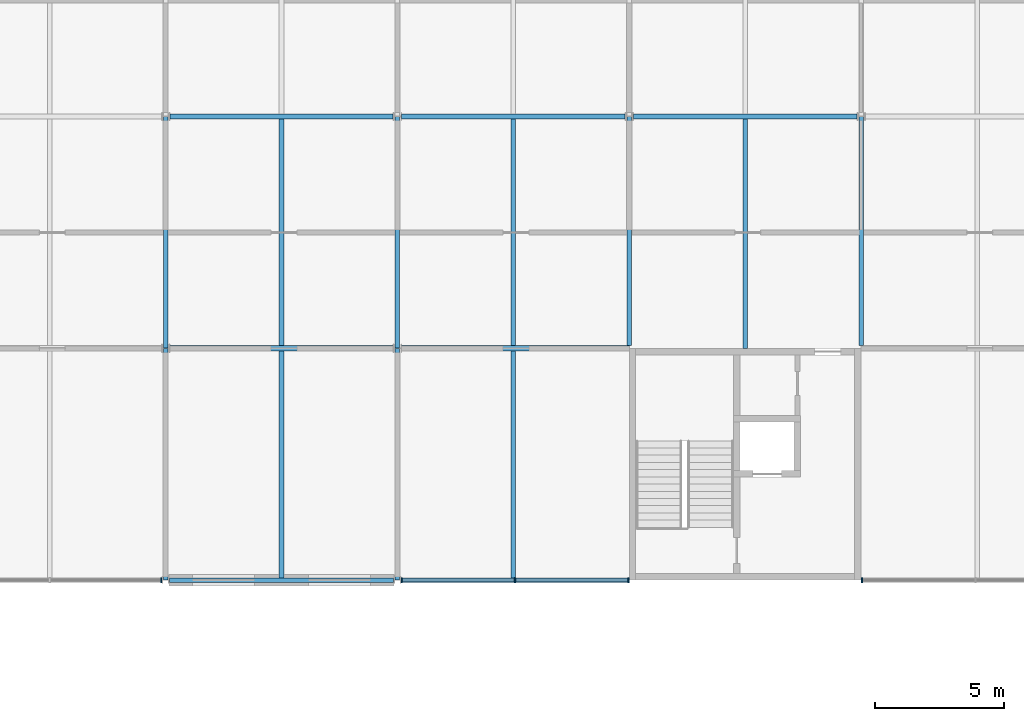
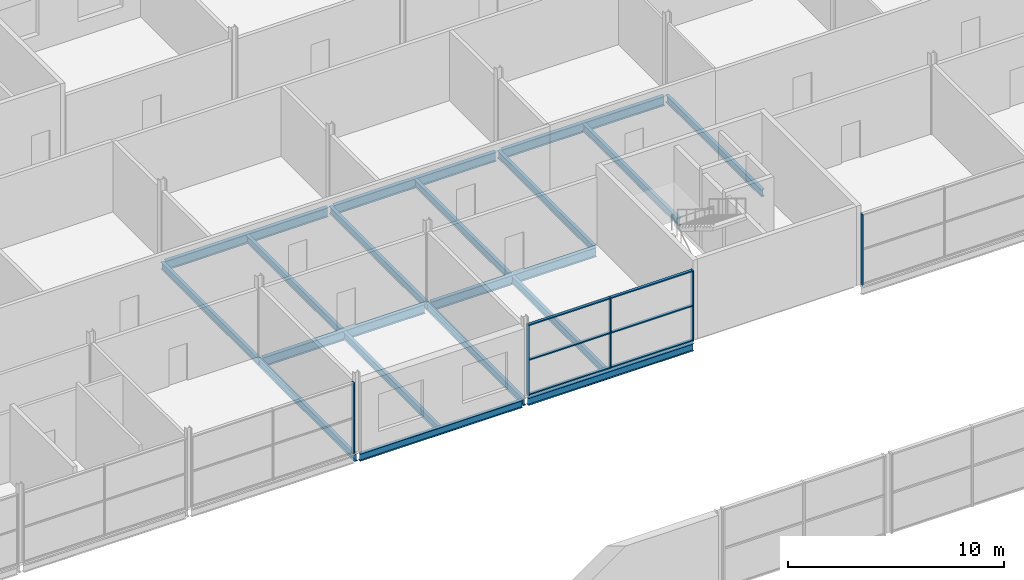
# One storey, part 32 of 97: 18 beams, 11 members, 3 elements without a shape of their own.
"""IFC4 building model written with IfcOpenShell, lengths in metres."""

import ifcopenshell
import ifcopenshell.guid

model = None  # the IFC model being written
_history = None  # IfcOwnerHistory: only IFC2X3 demands one
_inside = {}  # id of a spatial element -> (the spatial element, [elements in it])
_under = {}  # id of a project, library or spatial element -> (it, [spatial elements below it])
_declared = {}  # id of a project -> (the project, [libraries it declares])
_typed = {}  # id of a type object -> (the type object, [elements of that type])
_made_of = {}  # id of a material, layer set ... -> (it, [elements and type objects made of it])


def new_model(schema):
    """Start an empty IFC model of exactly this schema.

    Asked for "IFC4X3", IfcOpenShell would pick the latest addendum, in which some entities
    have other attributes; the version numbers below select the first issue.
    IFC2X3 requires an IfcOwnerHistory on every rooted entity: one is made here for all.
    """
    global model, _history
    if schema == "IFC4X3":
        model = ifcopenshell.file(schema_version=(4, 3, 0, 0))
    else:
        model = ifcopenshell.file(schema=schema)
    _inside.clear()
    _under.clear()
    _declared.clear()
    _typed.clear()
    _made_of.clear()
    _history = None
    if model.schema == "IFC2X3":
        org = make("IfcOrganization", Name="unknown")
        user = make(
            "IfcPersonAndOrganization",
            ThePerson=make("IfcPerson", FamilyName="unknown"),
            TheOrganization=org,
        )
        app = make(
            "IfcApplication",
            ApplicationDeveloper=org,
            Version="unknown",
            ApplicationFullName="unknown",
            ApplicationIdentifier="unknown",
        )
        _history = make(
            "IfcOwnerHistory",
            OwningUser=user,
            OwningApplication=app,
            ChangeAction="ADDED",
            CreationDate=0,
        )
    return model


def make(cls, **values):
    """One entity of the class cls with the attributes given. An attribute that is None is left unset."""
    return model.create_entity(
        cls, **{name: value for name, value in values.items() if value is not None}
    )


def rooted(cls, **values):
    """An entity with a GlobalId (a new one), such as an element, a storey or a relation."""
    return make(cls, GlobalId=ifcopenshell.guid.new(), OwnerHistory=_history, **values)


def si_unit(unit_type, name, prefix=None):
    """IfcSIUnit, for example si_unit("LENGTHUNIT", "METRE", prefix="MILLI")."""
    return make("IfcSIUnit", UnitType=unit_type, Prefix=prefix, Name=name)


def assignment(units):
    """IfcUnitAssignment: the units of a project."""
    return None if units is None else make("IfcUnitAssignment", Units=units)


def point(xyz):
    """IfcCartesianPoint."""
    return None if xyz is None else make("IfcCartesianPoint", Coordinates=xyz)


def direction(xyz):
    """IfcDirection."""
    return None if xyz is None else make("IfcDirection", DirectionRatios=xyz)


def frame(location, z_axis=None, x_axis=None):
    """IfcAxis2Placement3D, a coordinate frame: its origin and axes. An axis left out is left unset."""
    return make(
        "IfcAxis2Placement3D",
        Location=point(location),
        Axis=direction(z_axis),
        RefDirection=direction(x_axis),
    )


def frame_2d(location, x_axis=None):
    """IfcAxis2Placement2D, a coordinate frame in the plane: its origin and x axis."""
    return make(
        "IfcAxis2Placement2D", Location=point(location), RefDirection=direction(x_axis)
    )


def origin():
    """The frame at (0, 0, 0) with its axes left unset."""
    return frame((0.0, 0.0, 0.0))


def origin_2d():
    """The frame at (0, 0) in the plane with its x axis left unset."""
    return frame_2d((0.0, 0.0))


def place(relative_to, where):
    """IfcLocalPlacement: puts the frame where relative to a parent placement (None: the world)."""
    return make(
        "IfcLocalPlacement", PlacementRelTo=relative_to, RelativePlacement=where
    )


def context(
    kind, dimensions, precision=None, world=None, true_north=None, identifier=None
):
    """IfcGeometricRepresentationContext, for example the 3D "Model" context."""
    return make(
        "IfcGeometricRepresentationContext",
        ContextIdentifier=identifier,
        ContextType=kind,
        CoordinateSpaceDimension=dimensions,
        Precision=precision,
        WorldCoordinateSystem=world,
        TrueNorth=true_north,
    )


def subcontext(parent, identifier, kind, view, scale=None):
    """IfcGeometricRepresentationSubContext, for example "Body" below "Model"."""
    return make(
        "IfcGeometricRepresentationSubContext",
        ContextIdentifier=identifier,
        ContextType=kind,
        ParentContext=parent,
        TargetScale=scale,
        TargetView=view,
    )


def project(units=None, contexts=None):
    """IfcProject with its units and contexts."""
    return rooted(
        "IfcProject",
        Name="project",
        RepresentationContexts=contexts,
        UnitsInContext=assignment(units),
    )


def spatial(cls, under=None, at=None, **own):
    """A site, building, storey or space (cls), placed at a placement, below another one or the project."""
    s = rooted(cls, ObjectPlacement=at, **own)
    if under is not None:
        _under.setdefault(under.id(), (under, []))[1].append(s)
    return s


def profile(cls, at=None, kind="AREA", **sizes):
    """A parametric profile (cls). Its sizes go by their IFC names, for example OverallWidth=200.0."""
    return make(cls, ProfileType=kind, Position=at, **sizes)


def rectangle(**sizes):
    """IfcRectangleProfileDef."""
    return profile("IfcRectangleProfileDef", **sizes)


def i_section(**sizes):
    """IfcIShapeProfileDef."""
    return profile("IfcIShapeProfileDef", **sizes)


def extrude(swept, where, along, depth):
    """IfcExtrudedAreaSolid: the profile swept, set in the frame where, extruded along a direction by depth."""
    return make(
        "IfcExtrudedAreaSolid",
        SweptArea=swept,
        Position=where,
        ExtrudedDirection=direction(along),
        Depth=depth,
    )


def shape(context_of_items, identifier, shape_type, items):
    """IfcShapeRepresentation: the items that make up one representation, for example the "Body"."""
    return make(
        "IfcShapeRepresentation",
        ContextOfItems=context_of_items,
        RepresentationIdentifier=identifier,
        RepresentationType=shape_type,
        Items=items,
    )


def material(Name=None, Category=None):
    """IfcMaterial."""
    return make("IfcMaterial", Name=Name, Category=Category)


def layer(
    of_material, thickness, ventilated=None, Name=None, Category=None, Priority=None
):
    """IfcMaterialLayer: one layer of a wall or slab, of a material (None: an air gap)."""
    return make(
        "IfcMaterialLayer",
        Material=of_material,
        LayerThickness=thickness,
        IsVentilated=ventilated,
        Name=Name,
        Category=Category,
        Priority=Priority,
    )


def layer_set(layers, Name=None):
    """IfcMaterialLayerSet."""
    return make("IfcMaterialLayerSet", MaterialLayers=layers, LayerSetName=Name)


def material_profile(
    of_material, cross_section, Name=None, Category=None, Priority=None
):
    """IfcMaterialProfile: a cross section and its material."""
    return make(
        "IfcMaterialProfile",
        Name=Name,
        Material=of_material,
        Profile=cross_section,
        Priority=Priority,
        Category=Category,
    )


def profile_set(profiles, Name=None, composite=None):
    """IfcMaterialProfileSet."""
    return make(
        "IfcMaterialProfileSet",
        Name=Name,
        MaterialProfiles=profiles,
        CompositeProfile=composite,
    )


def made_of(thing, what):
    """Note that an element or type object is made of a material, layer set ...; save() writes the relation."""
    if what is not None:
        _made_of.setdefault(what.id(), (what, []))[1].append(thing)
    return thing


def type_object(cls, material=None, **own):
    """A type object (cls), such as IfcWallType, which elements share."""
    return made_of(rooted(cls, **own), material)


def element(
    cls,
    number,
    at=None,
    inside=None,
    cuts=None,
    type_object=None,
    material=None,
    context=None,
    identifier="Body",
    shape_type=None,
    held_by="IfcProductDefinitionShape",
    body=None,
    shapes=None,
    **own,
):
    """One element of the class cls, such as IfcWall. Its Tag is "e" and its number.

    at: its placement. inside: the storey or other place that contains it. cuts: it is an
    opening in that element (IfcRelVoidsElement). A single representation is given by context,
    identifier, shape_type and body (its items); several are given by shapes. held_by: the class
    of the entity that holds the representations. save() writes the other relations.
    """
    e = rooted(cls, Tag="e%d" % number, ObjectPlacement=at, **own)
    if body is not None:
        shapes = [shape(context, identifier, shape_type, body)]
    if shapes is not None:
        e.Representation = make(held_by, Representations=shapes)
    if inside is not None:
        _inside.setdefault(inside.id(), (inside, []))[1].append(e)
    if cuts is not None:
        rooted(
            "IfcRelVoidsElement", RelatingBuildingElement=cuts, RelatedOpeningElement=e
        )
    if type_object is not None:
        _typed.setdefault(type_object.id(), (type_object, []))[1].append(e)
    return made_of(e, material)


def aggregate(whole, parts):
    """IfcRelAggregates: a whole, such as a stair, and the parts it consists of."""
    return rooted("IfcRelAggregates", RelatingObject=whole, RelatedObjects=parts)


def save(model, path):
    """Write the relations noted so far, then the file.

    IfcRelAggregates (storeys below a building ...), IfcRelContainedInSpatialStructure (elements
    in a storey), IfcRelDefinesByType, IfcRelAssociatesMaterial and IfcRelDeclares: one each for
    every whole, place, type object, material and project.
    """
    for whole, parts in _under.values():
        aggregate(whole, parts)
    for where, things in _inside.values():
        rooted(
            "IfcRelContainedInSpatialStructure",
            RelatedElements=things,
            RelatingStructure=where,
        )
    for kind, things in _typed.values():
        rooted("IfcRelDefinesByType", RelatedObjects=things, RelatingType=kind)
    for what, things in _made_of.values():
        rooted("IfcRelAssociatesMaterial", RelatedObjects=things, RelatingMaterial=what)
    for by, libraries in _declared.values():
        rooted("IfcRelDeclares", RelatingContext=by, RelatedDefinitions=libraries)
    model.write(path)


model = new_model("IFC4")

# Units and contexts
model_context = context("Model", 3, precision=1e-05, world=origin(), true_north=direction((0.0, 1.0)))
body_context = subcontext(model_context, "Body", "Model", "MODEL_VIEW")
ifc_project = project(units=[si_unit("LENGTHUNIT", "METRE"), si_unit("AREAUNIT", "SQUARE_METRE"), si_unit("VOLUMEUNIT", "CUBIC_METRE"), si_unit("PLANEANGLEUNIT", "RADIAN"), si_unit("MASSUNIT", "GRAM", prefix="KILO")], contexts=[model_context])

# Site, building, storey
site_placement = place(None, origin())
site = spatial("IfcSite", under=ifc_project, at=site_placement, CompositionType="ELEMENT")
building_placement = place(site_placement, origin())
building = spatial("IfcBuilding", under=site, at=building_placement, Name="Corbel Yard City Hall", CompositionType="ELEMENT")
storey_placement = place(building_placement, frame((0.0, 0.0, 6.0)))
storey = spatial("IfcBuildingStorey", under=building, at=storey_placement, Name="L01", CompositionType="ELEMENT", Elevation=6.0)

# Beams
ifc_material_1 = material(Name="Steel Grade 300 (300 MPa yield)", Category="steel")
ifc_material_profile_1 = material_profile(ifc_material_1, i_section(OverallWidth=0.177978515625, OverallDepth=0.403076171875, WebThickness=0.007568359375, FlangeThickness=0.010986328125, at=origin_2d()), Name="410UB53.7")
ifc_profile_set_1 = profile_set([ifc_material_profile_1], Name="Steel Grade 300 (300 MPa yield)")
beam_type_1 = type_object("IfcBeamType", Name="Beam 410UB53.7", PredefinedType="BEAM", material=ifc_profile_set_1)
beam_1_placement = place(storey_placement, frame((36.0, 45.005859375, -0.3515625), z_axis=(0.0, 1.0, 0.0), x_axis=(-1.0, 0.0, 0.0)))
element("IfcBeam", 1, at=beam_1_placement, inside=storey, type_object=beam_type_1, Name="Beam 410UB53.7 SB6 L01floor", PredefinedType="BEAM", context=body_context, shape_type="SweptSolid", body=[
    extrude(i_section(OverallWidth=0.177978515625, OverallDepth=0.403076171875, WebThickness=0.007568359375, FlangeThickness=0.010986328125, at=origin_2d()), origin(), (0.0, 0.0, 1.0), 8.986328125),
])
beam_2_placement = place(storey_placement, frame((36.0, 54.0078125, -0.3515625), z_axis=(0.0, 1.0, 0.0), x_axis=(-1.0, 0.0, 0.0)))
element("IfcBeam", 2, at=beam_2_placement, inside=storey, type_object=beam_type_1, Name="Beam 410UB53.7 SB6 L01floor", PredefinedType="BEAM", context=body_context, shape_type="SweptSolid", body=[
    extrude(i_section(OverallWidth=0.177978515625, OverallDepth=0.403076171875, WebThickness=0.007568359375, FlangeThickness=0.010986328125, at=origin_2d()), origin(), (0.0, 0.0, 1.0), 8.984375),
])
beam_3_placement = place(storey_placement, frame((45.0, 45.005859375, -0.3515625), z_axis=(0.0, 1.0, 0.0), x_axis=(-1.0, 0.0, 0.0)))
element("IfcBeam", 3, at=beam_3_placement, inside=storey, type_object=beam_type_1, Name="Beam 410UB53.7 SB6 L01floor", PredefinedType="BEAM", context=body_context, shape_type="SweptSolid", body=[
    extrude(i_section(OverallWidth=0.177978515625, OverallDepth=0.403076171875, WebThickness=0.007568359375, FlangeThickness=0.010986328125, at=origin_2d()), origin(), (0.0, 0.0, 1.0), 8.986328125),
])
beam_4_placement = place(storey_placement, frame((45.0, 54.0078125, -0.3515625), z_axis=(0.0, 1.0, 0.0), x_axis=(-1.0, 0.0, 0.0)))
element("IfcBeam", 4, at=beam_4_placement, inside=storey, type_object=beam_type_1, Name="Beam 410UB53.7 SB6 L01floor", PredefinedType="BEAM", context=body_context, shape_type="SweptSolid", body=[
    extrude(i_section(OverallWidth=0.177978515625, OverallDepth=0.403076171875, WebThickness=0.007568359375, FlangeThickness=0.010986328125, at=origin_2d()), origin(), (0.0, 0.0, 1.0), 8.984375),
])
for number, where, z_axis, x_axis, name in (
    (5, (54.0, 54.1044921875, -0.3515625), (0.0, 1.0, 0.0), (-1.0, 0.0, 0.0), "Beam 410UB53.7 SB6 L01floor"),
    (6, (63.0, 54.1044921875, -0.3515625), (0.0, 1.0, 0.0), (-1.0, 0.0, 0.0), "Beam 410UB53.7 SB6 L01floor"),
):
    element("IfcBeam", number, at=place(storey_placement, frame(where, z_axis=z_axis, x_axis=x_axis)), inside=storey, type_object=beam_type_1, Name=name, PredefinedType="BEAM", context=body_context, shape_type="SweptSolid", body=[
        extrude(i_section(OverallWidth=0.177978515625, OverallDepth=0.403076171875, WebThickness=0.007568359375, FlangeThickness=0.010986328125, at=origin_2d()), origin(), (0.0, 0.0, 1.0), 8.8876953125),
    ])
ifc_material_profile_2 = material_profile(ifc_material_1, i_section(OverallWidth=0.177978515625, OverallDepth=0.406005859375, WebThickness=0.0078125, FlangeThickness=0.0126953125, at=origin_2d()), Name="410UB59.7")
ifc_profile_set_2 = profile_set([ifc_material_profile_2], Name="Steel Grade 300 (300 MPa yield)")
beam_type_2 = type_object("IfcBeamType", Name="Edge beam 410UB59.7", PredefinedType="BEAM", material=ifc_profile_set_2)
beam_5_placement = place(storey_placement, frame((36.157470703125, 45.0, -0.35302734375), z_axis=(1.0, 0.0, 0.0), x_axis=(0.0, 1.0, 0.0)))
element("IfcBeam", 7, at=beam_5_placement, inside=storey, type_object=beam_type_2, Name="Edge beam 410UB59.7 EB2 L01floor", PredefinedType="BEAM", context=body_context, shape_type="SweptSolid", body=[
    extrude(i_section(OverallWidth=0.177978515625, OverallDepth=0.406005859375, WebThickness=0.0078125, FlangeThickness=0.0126953125, at=origin_2d()), origin(), (0.0, 0.0, 1.0), 8.68505859375),
])
beam_6_placement = place(storey_placement, frame((45.157470703125, 45.0, -0.35302734375), z_axis=(1.0, 0.0, 0.0), x_axis=(0.0, 1.0, 0.0)))
element("IfcBeam", 8, at=beam_6_placement, inside=storey, type_object=beam_type_2, Name="Edge beam 410UB59.7 EB2 L01floor", PredefinedType="BEAM", context=body_context, shape_type="SweptSolid", body=[
    extrude(i_section(OverallWidth=0.177978515625, OverallDepth=0.406005859375, WebThickness=0.0078125, FlangeThickness=0.0126953125, at=origin_2d()), origin(), (0.0, 0.0, 1.0), 8.842529296875),
])
ifc_material_profile_3 = material_profile(ifc_material_1, i_section(OverallWidth=0.208984375, OverallDepth=0.528076171875, WebThickness=0.009521484375, FlangeThickness=0.01318359375, at=origin_2d()), Name="530UB82.0")
ifc_profile_set_3 = profile_set([ifc_material_profile_3], Name="Steel Grade 300 (300 MPa yield)")
beam_type_3 = type_object("IfcBeamType", Name="Girder 530UB82.0", PredefinedType="BEAM", material=ifc_profile_set_3)
beam_7_placement = place(storey_placement, frame((36.16357421875, 54.0, -0.4140625), z_axis=(1.0, 0.0, 0.0), x_axis=(0.0, 1.0, 0.0)))
element("IfcBeam", 9, at=beam_7_placement, inside=storey, type_object=beam_type_3, Name="Girder 530UB82.0 GB3 L01floor", PredefinedType="BEAM", context=body_context, shape_type="SweptSolid", body=[
    extrude(i_section(OverallWidth=0.208984375, OverallDepth=0.528076171875, WebThickness=0.009521484375, FlangeThickness=0.01318359375, at=origin_2d()), origin(), (0.0, 0.0, 1.0), 8.6728515625),
])
beam_8_placement = place(storey_placement, frame((45.16357421875, 54.0, -0.4140625), z_axis=(1.0, 0.0, 0.0), x_axis=(0.0, 1.0, 0.0)))
element("IfcBeam", 10, at=beam_8_placement, inside=storey, type_object=beam_type_3, Name="Girder 530UB82.0 GB3 L01floor", PredefinedType="BEAM", context=body_context, shape_type="SweptSolid", body=[
    extrude(i_section(OverallWidth=0.208984375, OverallDepth=0.528076171875, WebThickness=0.009521484375, FlangeThickness=0.01318359375, at=origin_2d()), origin(), (0.0, 0.0, 1.0), 8.83642578125),
])
for number, where, z_axis, x_axis, name in (
    (11, (36.16357421875, 63.0, -0.4140625), (1.0, 0.0, 0.0), (0.0, 1.0, 0.0), "Girder 530UB82.0 GB3 L01floor"),
    (12, (45.16357421875, 63.0, -0.4140625), (1.0, 0.0, 0.0), (0.0, 1.0, 0.0), "Girder 530UB82.0 GB3 L01floor"),
    (13, (54.16357421875, 63.0, -0.4140625), (1.0, 0.0, 0.0), (0.0, 1.0, 0.0), "Girder 530UB82.0 GB3 L01floor"),
):
    element("IfcBeam", number, at=place(storey_placement, frame(where, z_axis=z_axis, x_axis=x_axis)), inside=storey, type_object=beam_type_3, Name=name, PredefinedType="BEAM", context=body_context, shape_type="SweptSolid", body=[
        extrude(i_section(OverallWidth=0.208984375, OverallDepth=0.528076171875, WebThickness=0.009521484375, FlangeThickness=0.01318359375, at=origin_2d()), origin(), (0.0, 0.0, 1.0), 8.6728515625),
    ])

# Curtain wall, member
ifc_material_2 = material(Name="Aluminium extrusion", Category="aluminium")
ifc_layer = layer(ifc_material_2, 0.199951171875)
ifc_layer_set = layer_set([ifc_layer], Name="Aluminium extrusion")
curtain_wall_type = type_object("IfcCurtainWallType", Name="CW1", PredefinedType="USERDEFINED", material=ifc_layer_set)
curtain_wall_1_placement = place(storey_placement, origin())
curtain_wall_1 = element("IfcCurtainWall", 14, at=curtain_wall_1_placement, inside=storey, type_object=curtain_wall_type, Name="Curtain wall CW1 L01", ObjectType="CURTAIN WALL", PredefinedType="USERDEFINED")
ifc_material_profile_4 = material_profile(ifc_material_2, rectangle(XDim=0.199951171875, YDim=0.06494140625, at=origin_2d()), Name="200x65")
ifc_profile_set_4 = profile_set([ifc_material_profile_4], Name="Aluminium extrusion")
member_type_1 = type_object("IfcMemberType", Name="ML1", PredefinedType="MULLION", material=ifc_profile_set_4)
member_1_placement = place(storey_placement, frame((35.83740234375, 45.0, 0.0), z_axis=(0.0, 0.0, 1.0), x_axis=(0.0, 1.0, 0.0)))
member_1 = element("IfcMember", 15, at=member_1_placement, type_object=member_type_1, Name="CW1 mullion 3", PredefinedType="MULLION", context=body_context, shape_type="SweptSolid", body=[
    extrude(rectangle(XDim=0.199951171875, YDim=0.06494140625, at=origin_2d()), origin(), (0.0, 0.0, 1.0), 3.990966796875),
])
aggregate(curtain_wall_1, [member_1])

# Curtain wall, members
curtain_wall_2_placement = place(storey_placement, origin())
curtain_wall_2 = element("IfcCurtainWall", 16, at=curtain_wall_2_placement, inside=storey, type_object=curtain_wall_type, Name="Curtain wall CW1 L01", ObjectType="CURTAIN WALL", PredefinedType="USERDEFINED")
member_2_placement = place(storey_placement, frame((45.16259765625, 45.0, 0.0), z_axis=(0.0, 0.0, 1.0), x_axis=(0.0, 1.0, 0.0)))
member_2 = element("IfcMember", 17, at=member_2_placement, type_object=member_type_1, Name="CW1 mullion 1", PredefinedType="MULLION", context=body_context, shape_type="SweptSolid", body=[
    extrude(rectangle(XDim=0.199951171875, YDim=0.06494140625, at=origin_2d()), origin(), (0.0, 0.0, 1.0), 3.990966796875),
])
member_3_placement = place(storey_placement, frame((49.56494140625, 45.0, 0.0), z_axis=(0.0, 0.0, 1.0), x_axis=(0.0, 1.0, 0.0)))
member_3 = element("IfcMember", 18, at=member_3_placement, type_object=member_type_1, Name="CW1 mullion 2", PredefinedType="MULLION", context=body_context, shape_type="SweptSolid", body=[
    extrude(rectangle(XDim=0.199951171875, YDim=0.06494140625, at=origin_2d()), origin(), (0.0, 0.0, 1.0), 3.990966796875),
])
member_4_placement = place(storey_placement, frame((53.967529296875, 45.0, 0.0), z_axis=(0.0, 0.0, 1.0), x_axis=(0.0, 1.0, 0.0)))
member_4 = element("IfcMember", 19, at=member_4_placement, type_object=member_type_1, Name="CW1 mullion 3", PredefinedType="MULLION", context=body_context, shape_type="SweptSolid", body=[
    extrude(rectangle(XDim=0.199951171875, YDim=0.06494140625, at=origin_2d()), origin(), (0.0, 0.0, 1.0), 3.990966796875),
])

# Curtain wall, member
curtain_wall_3_placement = place(storey_placement, origin())
curtain_wall_3 = element("IfcCurtainWall", 20, at=curtain_wall_3_placement, inside=storey, type_object=curtain_wall_type, Name="Curtain wall CW1 L01", ObjectType="CURTAIN WALL", PredefinedType="USERDEFINED")
member_5_placement = place(storey_placement, frame((63.032470703125, 45.0, 0.0), z_axis=(0.0, 0.0, 1.0), x_axis=(0.0, 1.0, 0.0)))
member_5 = element("IfcMember", 21, at=member_5_placement, type_object=member_type_1, Name="CW1 mullion 1", PredefinedType="MULLION", context=body_context, shape_type="SweptSolid", body=[
    extrude(rectangle(XDim=0.199951171875, YDim=0.06494140625, at=origin_2d()), origin(), (0.0, 0.0, 1.0), 3.990966796875),
])
aggregate(curtain_wall_3, [member_5])

# Beams
ifc_material_profile_5 = material_profile(ifc_material_1, i_section(OverallWidth=0.177978515625, OverallDepth=0.403076171875, WebThickness=0.007568359375, FlangeThickness=0.010986328125, at=origin_2d()), Name="410UB53.7")
ifc_profile_set_5 = profile_set([ifc_material_profile_5], Name="Steel Grade 300 (300 MPa yield)")
beam_type_4 = type_object("IfcBeamType", Name="Secondary beam 410UB53.7", PredefinedType="JOIST", material=ifc_profile_set_5)
beam_9_placement = place(storey_placement, frame((40.5, 45.089111328125, -0.3515625), z_axis=(0.0, 1.0, 0.0), x_axis=(-1.0, 0.0, 0.0)))
element("IfcBeam", 22, at=beam_9_placement, inside=storey, type_object=beam_type_4, Name="Secondary beam 410UB53.7 SB5 L01floor", PredefinedType="JOIST", context=body_context, shape_type="SweptSolid", body=[
    extrude(i_section(OverallWidth=0.177978515625, OverallDepth=0.403076171875, WebThickness=0.007568359375, FlangeThickness=0.010986328125, at=origin_2d()), origin(), (0.0, 0.0, 1.0), 8.806396484375),
])
beam_10_placement = place(storey_placement, frame((40.5, 54.1044921875, -0.3515625), z_axis=(0.0, 1.0, 0.0), x_axis=(-1.0, 0.0, 0.0)))
element("IfcBeam", 23, at=beam_10_placement, inside=storey, type_object=beam_type_4, Name="Secondary beam 410UB53.7 SB5 L01floor", PredefinedType="JOIST", context=body_context, shape_type="SweptSolid", body=[
    extrude(i_section(OverallWidth=0.177978515625, OverallDepth=0.403076171875, WebThickness=0.007568359375, FlangeThickness=0.010986328125, at=origin_2d()), origin(), (0.0, 0.0, 1.0), 8.791015625),
])
beam_11_placement = place(storey_placement, frame((49.5, 45.089111328125, -0.3515625), z_axis=(0.0, 1.0, 0.0), x_axis=(-1.0, 0.0, 0.0)))
element("IfcBeam", 24, at=beam_11_placement, inside=storey, type_object=beam_type_4, Name="Secondary beam 410UB53.7 SB5 L01floor", PredefinedType="JOIST", context=body_context, shape_type="SweptSolid", body=[
    extrude(i_section(OverallWidth=0.177978515625, OverallDepth=0.403076171875, WebThickness=0.007568359375, FlangeThickness=0.010986328125, at=origin_2d()), origin(), (0.0, 0.0, 1.0), 8.806396484375),
])
beam_12_placement = place(storey_placement, frame((49.5, 54.1044921875, -0.3515625), z_axis=(0.0, 1.0, 0.0), x_axis=(-1.0, 0.0, 0.0)))
element("IfcBeam", 25, at=beam_12_placement, inside=storey, type_object=beam_type_4, Name="Secondary beam 410UB53.7 SB5 L01floor", PredefinedType="JOIST", context=body_context, shape_type="SweptSolid", body=[
    extrude(i_section(OverallWidth=0.177978515625, OverallDepth=0.403076171875, WebThickness=0.007568359375, FlangeThickness=0.010986328125, at=origin_2d()), origin(), (0.0, 0.0, 1.0), 8.791015625),
])
beam_13_placement = place(storey_placement, frame((58.5, 54.0, -0.3515625), z_axis=(0.0, 1.0, 0.0), x_axis=(-1.0, 0.0, 0.0)))
element("IfcBeam", 26, at=beam_13_placement, inside=storey, type_object=beam_type_4, Name="Secondary beam 410UB53.7 SB5 L01floor", PredefinedType="JOIST", context=body_context, shape_type="SweptSolid", body=[
    extrude(i_section(OverallWidth=0.177978515625, OverallDepth=0.403076171875, WebThickness=0.007568359375, FlangeThickness=0.010986328125, at=origin_2d()), origin(), (0.0, 0.0, 1.0), 8.8955078125),
])

# Member
ifc_material_profile_6 = material_profile(ifc_material_2, rectangle(XDim=0.14990234375, YDim=0.06494140625, at=origin_2d()), Name="150x65")
ifc_profile_set_6 = profile_set([ifc_material_profile_6], Name="Aluminium extrusion")
member_type_2 = type_object("IfcMemberType", Name="TR1", PredefinedType="USERDEFINED", material=ifc_profile_set_6)
member_6_placement = place(storey_placement, frame((45.195068359375, 45.0, 0.032470703125), z_axis=(1.0, 0.0, 0.0), x_axis=(0.0, 1.0, 0.0)))
member_6 = element("IfcMember", 27, at=member_6_placement, type_object=member_type_2, Name="CW1 transom 1.1", ObjectType="TRANSOM", PredefinedType="USERDEFINED", context=body_context, shape_type="SweptSolid", body=[
    extrude(rectangle(XDim=0.14990234375, YDim=0.06494140625, at=origin_2d()), origin(), (0.0, 0.0, 1.0), 4.33740234375),
])

member_7_placement = place(storey_placement, frame((45.195068359375, 45.0, 1.99560546875), z_axis=(1.0, 0.0, 0.0), x_axis=(0.0, 1.0, 0.0)))
member_7 = element("IfcMember", 28, at=member_7_placement, type_object=member_type_2, Name="CW1 transom 1.2", ObjectType="TRANSOM", PredefinedType="USERDEFINED", context=body_context, shape_type="SweptSolid", body=[
    extrude(rectangle(XDim=0.14990234375, YDim=0.06494140625, at=origin_2d()), origin(), (0.0, 0.0, 1.0), 4.33740234375),
])

member_8_placement = place(storey_placement, frame((45.195068359375, 45.0, 3.95849609375), z_axis=(1.0, 0.0, 0.0), x_axis=(0.0, 1.0, 0.0)))
member_8 = element("IfcMember", 29, at=member_8_placement, type_object=member_type_2, Name="CW1 transom 1.3", ObjectType="TRANSOM", PredefinedType="USERDEFINED", context=body_context, shape_type="SweptSolid", body=[
    extrude(rectangle(XDim=0.14990234375, YDim=0.06494140625, at=origin_2d()), origin(), (0.0, 0.0, 1.0), 4.33740234375),
])

member_9_placement = place(storey_placement, frame((49.597412109375, 45.0, 0.032470703125), z_axis=(1.0, 0.0, 0.0), x_axis=(0.0, 1.0, 0.0)))
member_9 = element("IfcMember", 30, at=member_9_placement, type_object=member_type_2, Name="CW1 transom 2.1", ObjectType="TRANSOM", PredefinedType="USERDEFINED", context=body_context, shape_type="SweptSolid", body=[
    extrude(rectangle(XDim=0.14990234375, YDim=0.06494140625, at=origin_2d()), origin(), (0.0, 0.0, 1.0), 4.337646484375),
])

member_10_placement = place(storey_placement, frame((49.597412109375, 45.0, 1.99560546875), z_axis=(1.0, 0.0, 0.0), x_axis=(0.0, 1.0, 0.0)))
member_10 = element("IfcMember", 31, at=member_10_placement, type_object=member_type_2, Name="CW1 transom 2.2", ObjectType="TRANSOM", PredefinedType="USERDEFINED", context=body_context, shape_type="SweptSolid", body=[
    extrude(rectangle(XDim=0.14990234375, YDim=0.06494140625, at=origin_2d()), origin(), (0.0, 0.0, 1.0), 4.337646484375),
])

member_11_placement = place(storey_placement, frame((49.597412109375, 45.0, 3.95849609375), z_axis=(1.0, 0.0, 0.0), x_axis=(0.0, 1.0, 0.0)))
member_11 = element("IfcMember", 32, at=member_11_placement, type_object=member_type_2, Name="CW1 transom 2.3", ObjectType="TRANSOM", PredefinedType="USERDEFINED", context=body_context, shape_type="SweptSolid", body=[
    extrude(rectangle(XDim=0.14990234375, YDim=0.06494140625, at=origin_2d()), origin(), (0.0, 0.0, 1.0), 4.337646484375),
])

aggregate(curtain_wall_2, [member_2, member_3, member_4, member_6, member_7, member_8, member_9, member_10, member_11])

save(model, "model.ifc")
